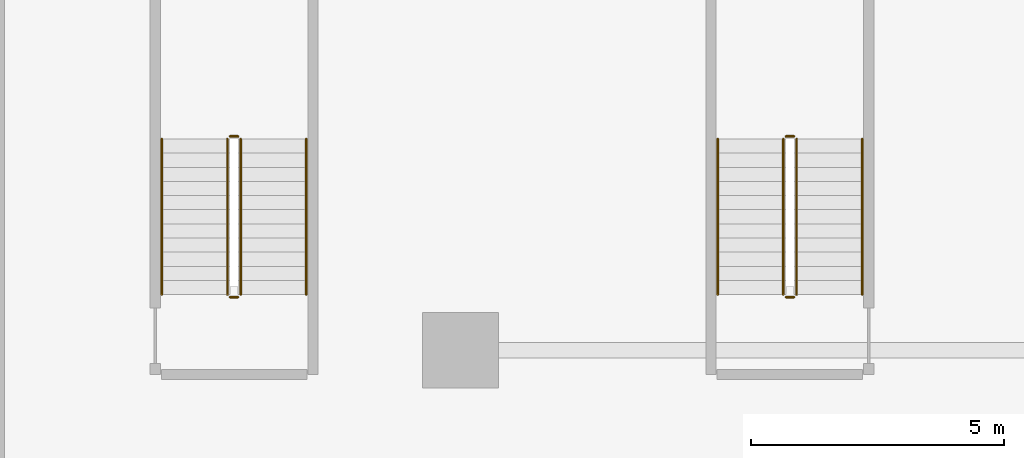
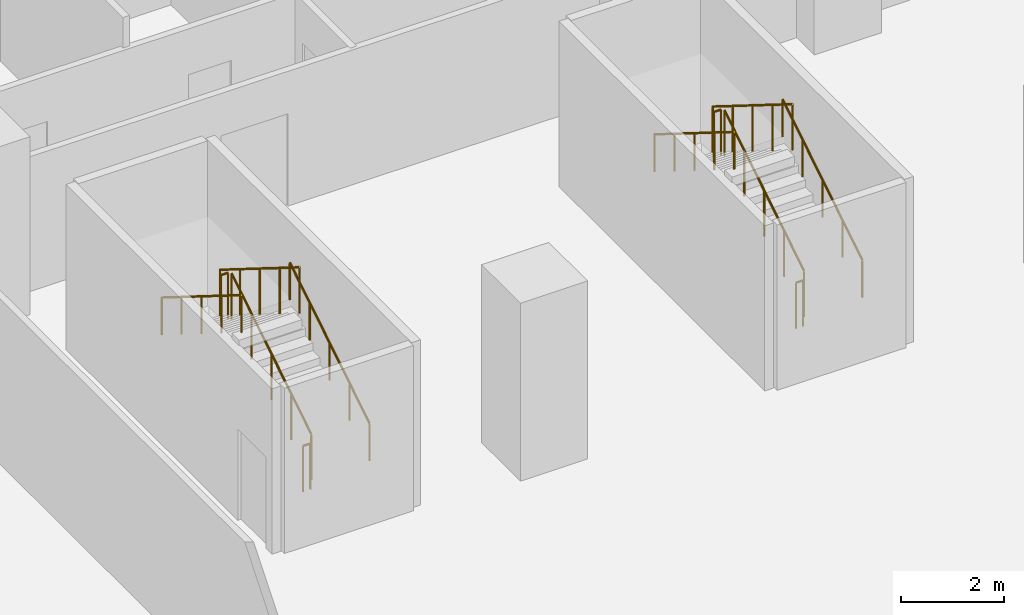
# One storey, part 6 of 8: 12 railings.
"""IFC4 building model written with IfcOpenShell, lengths in metres."""

from ifc_helpers import new_model, si_unit, direction, frame, origin, origin_2d, place, context, subcontext, project, spatial, circle, extrude, material, layer, layer_set, type_object, element, save


model = new_model("IFC4")

# Units and contexts
model_context = context("Model", 3, precision=1e-05, world=origin(), true_north=direction((0.0, 1.0)))
body_context = subcontext(model_context, "Body", "Model", "MODEL_VIEW")
ifc_project = project(units=[si_unit("LENGTHUNIT", "METRE"), si_unit("AREAUNIT", "SQUARE_METRE"), si_unit("VOLUMEUNIT", "CUBIC_METRE"), si_unit("PLANEANGLEUNIT", "RADIAN"), si_unit("MASSUNIT", "GRAM", prefix="KILO")], contexts=[model_context])

# Site, building, storey
site_placement = place(None, origin())
site = spatial("IfcSite", under=ifc_project, at=site_placement, CompositionType="ELEMENT")
building_placement = place(site_placement, origin())
building = spatial("IfcBuilding", under=site, at=building_placement, Name="Kuzgunbayir Cultural Tower", CompositionType="ELEMENT")
storey_placement = place(building_placement, frame((0.0, 0.0, 17.60009765625)))
storey = spatial("IfcBuildingStorey", under=building, at=storey_placement, Name="L04", CompositionType="ELEMENT", Elevation=17.60009765625)

# Railings
ifc_material_1 = material(Name="Brushed Stainless Steel", Category="steel")
ifc_layer_1 = layer(ifc_material_1, 0.050048828125)
ifc_layer_set_1 = layer_set([ifc_layer_1], Name="Brushed Stainless Steel")
railing_type_1 = type_object("IfcRailingType", Name="RLG-STAIR-HANDRAIL", PredefinedType="HANDRAIL", material=ifc_layer_set_1)
railing_1_placement = place(storey_placement, frame((30.449951171875, 19.10009765625, 0.1748046875)))
element("IfcRailing", 1, at=railing_1_placement, inside=storey, type_object=railing_type_1, Name="L04 ST-5 stair handrail 1", PredefinedType="HANDRAIL", context=body_context, shape_type="SweptSolid", body=[
    extrude(circle(Radius=0.02392578125, at=origin_2d()), frame((0.0, 0.0, 0.8759765625), z_axis=(0.0, 0.847979421464, 0.530029150871), x_axis=(-1.0, 0.0, 0.0)), (0.0, 0.0, 1.0), 3.632080078125),
    extrude(circle(Radius=0.02099609375, at=origin_2d()), origin(), (0.0, 0.0, 1.0), 0.851806640625),
    extrude(circle(Radius=0.02099609375, at=origin_2d()), frame((0.0, 0.77001953125, 0.481201171875)), (0.0, 0.0, 1.0), 0.851806640625),
    extrude(circle(Radius=0.02099609375, at=origin_2d()), frame((0.0, 1.5400390625, 0.96240234375)), (0.0, 0.0, 1.0), 0.851806640625),
    extrude(circle(Radius=0.02099609375, at=origin_2d()), frame((0.0, 2.309814453125, 1.44384765625)), (0.0, 0.0, 1.0), 0.851806640625),
    extrude(circle(Radius=0.02099609375, at=origin_2d()), frame((0.0, 3.079833984375, 1.925048828125)), (0.0, 0.0, 1.0), 0.851806640625),
])
railing_2_placement = place(storey_placement, frame((27.590087890625, 22.179931640625, 2.27490234375)))
element("IfcRailing", 2, at=railing_2_placement, inside=storey, type_object=railing_type_1, Name="L04 ST-5 stair handrail 2", PredefinedType="HANDRAIL", context=body_context, shape_type="SweptSolid", body=[
    extrude(circle(Radius=0.02392578125, at=origin_2d()), frame((0.0, 0.0, 0.8759765625), z_axis=(0.0, -0.847979421464, 0.530029150871), x_axis=(1.0, 0.0, 0.0)), (0.0, 0.0, 1.0), 3.632080078125),
    extrude(circle(Radius=0.02099609375, at=origin_2d()), origin(), (0.0, 0.0, 1.0), 0.851806640625),
    extrude(circle(Radius=0.02099609375, at=origin_2d()), frame((0.0, -0.77001953125, 0.481201171875)), (0.0, 0.0, 1.0), 0.851806640625),
    extrude(circle(Radius=0.02099609375, at=origin_2d()), frame((0.0, -1.5400390625, 0.96240234375)), (0.0, 0.0, 1.0), 0.851806640625),
    extrude(circle(Radius=0.02099609375, at=origin_2d()), frame((0.0, -2.309814453125, 1.44384765625)), (0.0, 0.0, 1.0), 0.851806640625),
    extrude(circle(Radius=0.02099609375, at=origin_2d()), frame((0.0, -3.079833984375, 1.925048828125)), (0.0, 0.0, 1.0), 0.851806640625),
])
railing_3_placement = place(storey_placement, frame((41.449951171875, 19.10009765625, 0.1748046875)))
element("IfcRailing", 3, at=railing_3_placement, inside=storey, type_object=railing_type_1, Name="L04 ST-6 stair handrail 1", PredefinedType="HANDRAIL", context=body_context, shape_type="SweptSolid", body=[
    extrude(circle(Radius=0.02392578125, at=origin_2d()), frame((0.0, 0.0, 0.8759765625), z_axis=(0.0, 0.847979421464, 0.530029150871), x_axis=(-1.0, 0.0, 0.0)), (0.0, 0.0, 1.0), 3.632080078125),
    extrude(circle(Radius=0.02099609375, at=origin_2d()), origin(), (0.0, 0.0, 1.0), 0.851806640625),
    extrude(circle(Radius=0.02099609375, at=origin_2d()), frame((0.0, 0.77001953125, 0.481201171875)), (0.0, 0.0, 1.0), 0.851806640625),
    extrude(circle(Radius=0.02099609375, at=origin_2d()), frame((0.0, 1.5400390625, 0.96240234375)), (0.0, 0.0, 1.0), 0.851806640625),
    extrude(circle(Radius=0.02099609375, at=origin_2d()), frame((0.0, 2.309814453125, 1.44384765625)), (0.0, 0.0, 1.0), 0.851806640625),
    extrude(circle(Radius=0.02099609375, at=origin_2d()), frame((0.0, 3.079833984375, 1.925048828125)), (0.0, 0.0, 1.0), 0.851806640625),
])
railing_4_placement = place(storey_placement, frame((38.590087890625, 22.179931640625, 2.27490234375)))
element("IfcRailing", 4, at=railing_4_placement, inside=storey, type_object=railing_type_1, Name="L04 ST-6 stair handrail 2", PredefinedType="HANDRAIL", context=body_context, shape_type="SweptSolid", body=[
    extrude(circle(Radius=0.02392578125, at=origin_2d()), frame((0.0, 0.0, 0.8759765625), z_axis=(0.0, -0.847979421464, 0.530029150871), x_axis=(1.0, 0.0, 0.0)), (0.0, 0.0, 1.0), 3.632080078125),
    extrude(circle(Radius=0.02099609375, at=origin_2d()), origin(), (0.0, 0.0, 1.0), 0.851806640625),
    extrude(circle(Radius=0.02099609375, at=origin_2d()), frame((0.0, -0.77001953125, 0.481201171875)), (0.0, 0.0, 1.0), 0.851806640625),
    extrude(circle(Radius=0.02099609375, at=origin_2d()), frame((0.0, -1.5400390625, 0.96240234375)), (0.0, 0.0, 1.0), 0.851806640625),
    extrude(circle(Radius=0.02099609375, at=origin_2d()), frame((0.0, -2.309814453125, 1.44384765625)), (0.0, 0.0, 1.0), 0.851806640625),
    extrude(circle(Radius=0.02099609375, at=origin_2d()), frame((0.0, -3.079833984375, 1.925048828125)), (0.0, 0.0, 1.0), 0.851806640625),
])
ifc_material_2 = material(Name="Painted Steel Balustrade", Category="steel")
ifc_layer_2 = layer(ifc_material_2, 0.06005859375)
ifc_layer_set_2 = layer_set([ifc_layer_2], Name="Painted Steel Balustrade")
railing_type_2 = type_object("IfcRailingType", Name="RLG-WELL-GUARD", PredefinedType="GUARDRAIL", material=ifc_layer_set_2)
railing_5_placement = place(storey_placement, frame((29.14990234375, 19.10009765625, 0.1748046875)))
element("IfcRailing", 5, at=railing_5_placement, inside=storey, type_object=railing_type_2, Name="L04 ST-5 stair guard 1", PredefinedType="GUARDRAIL", context=body_context, shape_type="SweptSolid", body=[
    extrude(circle(Radius=0.02392578125, at=origin_2d()), frame((0.0, 0.0, 1.076171875), z_axis=(0.0, 0.847979421464, 0.530029150871), x_axis=(-1.0, 0.0, 0.0)), (0.0, 0.0, 1.0), 3.632080078125),
    extrude(circle(Radius=0.02099609375, at=origin_2d()), origin(), (0.0, 0.0, 1.0), 1.052001953125),
    extrude(circle(Radius=0.02099609375, at=origin_2d()), frame((0.0, 0.77001953125, 0.481201171875)), (0.0, 0.0, 1.0), 1.052001953125),
    extrude(circle(Radius=0.02099609375, at=origin_2d()), frame((0.0, 1.5400390625, 0.96240234375)), (0.0, 0.0, 1.0), 1.052001953125),
    extrude(circle(Radius=0.02099609375, at=origin_2d()), frame((0.0, 2.309814453125, 1.44384765625)), (0.0, 0.0, 1.0), 1.052001953125),
    extrude(circle(Radius=0.02099609375, at=origin_2d()), frame((0.0, 3.079833984375, 1.925048828125)), (0.0, 0.0, 1.0), 1.052001953125),
])
railing_6_placement = place(storey_placement, frame((29.10009765625, 22.22998046875, 2.099853515625)))
element("IfcRailing", 6, at=railing_6_placement, inside=storey, type_object=railing_type_2, Name="L04 ST-5 stair guard 2", PredefinedType="GUARDRAIL", context=body_context, shape_type="SweptSolid", body=[
    extrude(circle(Radius=0.02392578125, at=origin_2d()), frame((0.0, 0.0, 1.076171875), z_axis=(-1.0, 0.0, 0.0), x_axis=(0.0, -1.0, 0.0)), (0.0, 0.0, 1.0), 0.16015625),
    extrude(circle(Radius=0.02099609375, at=origin_2d()), origin(), (0.0, 0.0, 1.0), 1.052001953125),
    extrude(circle(Radius=0.02099609375, at=origin_2d()), frame((-0.16015625, 0.0, 0.0)), (0.0, 0.0, 1.0), 1.052001953125),
])
railing_7_placement = place(storey_placement, frame((28.889892578125, 22.179931640625, 2.27490234375)))
element("IfcRailing", 7, at=railing_7_placement, inside=storey, type_object=railing_type_2, Name="L04 ST-5 stair guard 3", PredefinedType="GUARDRAIL", context=body_context, shape_type="SweptSolid", body=[
    extrude(circle(Radius=0.02392578125, at=origin_2d()), frame((0.0, 0.0, 1.076171875), z_axis=(0.0, -0.847979421464, 0.530029150871), x_axis=(1.0, 0.0, 0.0)), (0.0, 0.0, 1.0), 3.632080078125),
    extrude(circle(Radius=0.02099609375, at=origin_2d()), origin(), (0.0, 0.0, 1.0), 1.052001953125),
    extrude(circle(Radius=0.02099609375, at=origin_2d()), frame((0.0, -0.77001953125, 0.481201171875)), (0.0, 0.0, 1.0), 1.052001953125),
    extrude(circle(Radius=0.02099609375, at=origin_2d()), frame((0.0, -1.5400390625, 0.96240234375)), (0.0, 0.0, 1.0), 1.052001953125),
    extrude(circle(Radius=0.02099609375, at=origin_2d()), frame((0.0, -2.309814453125, 1.44384765625)), (0.0, 0.0, 1.0), 1.052001953125),
    extrude(circle(Radius=0.02099609375, at=origin_2d()), frame((0.0, -3.079833984375, 1.925048828125)), (0.0, 0.0, 1.0), 1.052001953125),
])
railing_8_placement = place(storey_placement, frame((29.10009765625, 19.050048828125, 0.0)))
element("IfcRailing", 8, at=railing_8_placement, inside=storey, type_object=railing_type_2, Name="L04 ST-5 stair guard 4", PredefinedType="GUARDRAIL", context=body_context, shape_type="SweptSolid", body=[
    extrude(circle(Radius=0.02392578125, at=origin_2d()), frame((0.0, 0.0, 1.076171875), z_axis=(-1.0, 0.0, 0.0), x_axis=(0.0, -1.0, 0.0)), (0.0, 0.0, 1.0), 0.16015625),
    extrude(circle(Radius=0.02099609375, at=origin_2d()), origin(), (0.0, 0.0, 1.0), 1.052001953125),
    extrude(circle(Radius=0.02099609375, at=origin_2d()), frame((-0.16015625, 0.0, 0.0)), (0.0, 0.0, 1.0), 1.052001953125),
])
railing_9_placement = place(storey_placement, frame((40.14990234375, 19.10009765625, 0.1748046875)))
element("IfcRailing", 9, at=railing_9_placement, inside=storey, type_object=railing_type_2, Name="L04 ST-6 stair guard 1", PredefinedType="GUARDRAIL", context=body_context, shape_type="SweptSolid", body=[
    extrude(circle(Radius=0.02392578125, at=origin_2d()), frame((0.0, 0.0, 1.076171875), z_axis=(0.0, 0.847979421464, 0.530029150871), x_axis=(-1.0, 0.0, 0.0)), (0.0, 0.0, 1.0), 3.632080078125),
    extrude(circle(Radius=0.02099609375, at=origin_2d()), origin(), (0.0, 0.0, 1.0), 1.052001953125),
    extrude(circle(Radius=0.02099609375, at=origin_2d()), frame((0.0, 0.77001953125, 0.481201171875)), (0.0, 0.0, 1.0), 1.052001953125),
    extrude(circle(Radius=0.02099609375, at=origin_2d()), frame((0.0, 1.5400390625, 0.96240234375)), (0.0, 0.0, 1.0), 1.052001953125),
    extrude(circle(Radius=0.02099609375, at=origin_2d()), frame((0.0, 2.309814453125, 1.44384765625)), (0.0, 0.0, 1.0), 1.052001953125),
    extrude(circle(Radius=0.02099609375, at=origin_2d()), frame((0.0, 3.079833984375, 1.925048828125)), (0.0, 0.0, 1.0), 1.052001953125),
])
railing_10_placement = place(storey_placement, frame((40.10009765625, 22.22998046875, 2.099853515625)))
element("IfcRailing", 10, at=railing_10_placement, inside=storey, type_object=railing_type_2, Name="L04 ST-6 stair guard 2", PredefinedType="GUARDRAIL", context=body_context, shape_type="SweptSolid", body=[
    extrude(circle(Radius=0.02392578125, at=origin_2d()), frame((0.0, 0.0, 1.076171875), z_axis=(-1.0, 0.0, 0.0), x_axis=(0.0, -1.0, 0.0)), (0.0, 0.0, 1.0), 0.16015625),
    extrude(circle(Radius=0.02099609375, at=origin_2d()), origin(), (0.0, 0.0, 1.0), 1.052001953125),
    extrude(circle(Radius=0.02099609375, at=origin_2d()), frame((-0.16015625, 0.0, 0.0)), (0.0, 0.0, 1.0), 1.052001953125),
])
railing_11_placement = place(storey_placement, frame((39.889892578125, 22.179931640625, 2.27490234375)))
element("IfcRailing", 11, at=railing_11_placement, inside=storey, type_object=railing_type_2, Name="L04 ST-6 stair guard 3", PredefinedType="GUARDRAIL", context=body_context, shape_type="SweptSolid", body=[
    extrude(circle(Radius=0.02392578125, at=origin_2d()), frame((0.0, 0.0, 1.076171875), z_axis=(0.0, -0.847979421464, 0.530029150871), x_axis=(1.0, 0.0, 0.0)), (0.0, 0.0, 1.0), 3.632080078125),
    extrude(circle(Radius=0.02099609375, at=origin_2d()), origin(), (0.0, 0.0, 1.0), 1.052001953125),
    extrude(circle(Radius=0.02099609375, at=origin_2d()), frame((0.0, -0.77001953125, 0.481201171875)), (0.0, 0.0, 1.0), 1.052001953125),
    extrude(circle(Radius=0.02099609375, at=origin_2d()), frame((0.0, -1.5400390625, 0.96240234375)), (0.0, 0.0, 1.0), 1.052001953125),
    extrude(circle(Radius=0.02099609375, at=origin_2d()), frame((0.0, -2.309814453125, 1.44384765625)), (0.0, 0.0, 1.0), 1.052001953125),
    extrude(circle(Radius=0.02099609375, at=origin_2d()), frame((0.0, -3.079833984375, 1.925048828125)), (0.0, 0.0, 1.0), 1.052001953125),
])
railing_12_placement = place(storey_placement, frame((40.10009765625, 19.050048828125, 0.0)))
element("IfcRailing", 12, at=railing_12_placement, inside=storey, type_object=railing_type_2, Name="L04 ST-6 stair guard 4", PredefinedType="GUARDRAIL", context=body_context, shape_type="SweptSolid", body=[
    extrude(circle(Radius=0.02392578125, at=origin_2d()), frame((0.0, 0.0, 1.076171875), z_axis=(-1.0, 0.0, 0.0), x_axis=(0.0, -1.0, 0.0)), (0.0, 0.0, 1.0), 0.16015625),
    extrude(circle(Radius=0.02099609375, at=origin_2d()), origin(), (0.0, 0.0, 1.0), 1.052001953125),
    extrude(circle(Radius=0.02099609375, at=origin_2d()), frame((-0.16015625, 0.0, 0.0)), (0.0, 0.0, 1.0), 1.052001953125),
])

save(model, "model.ifc")
